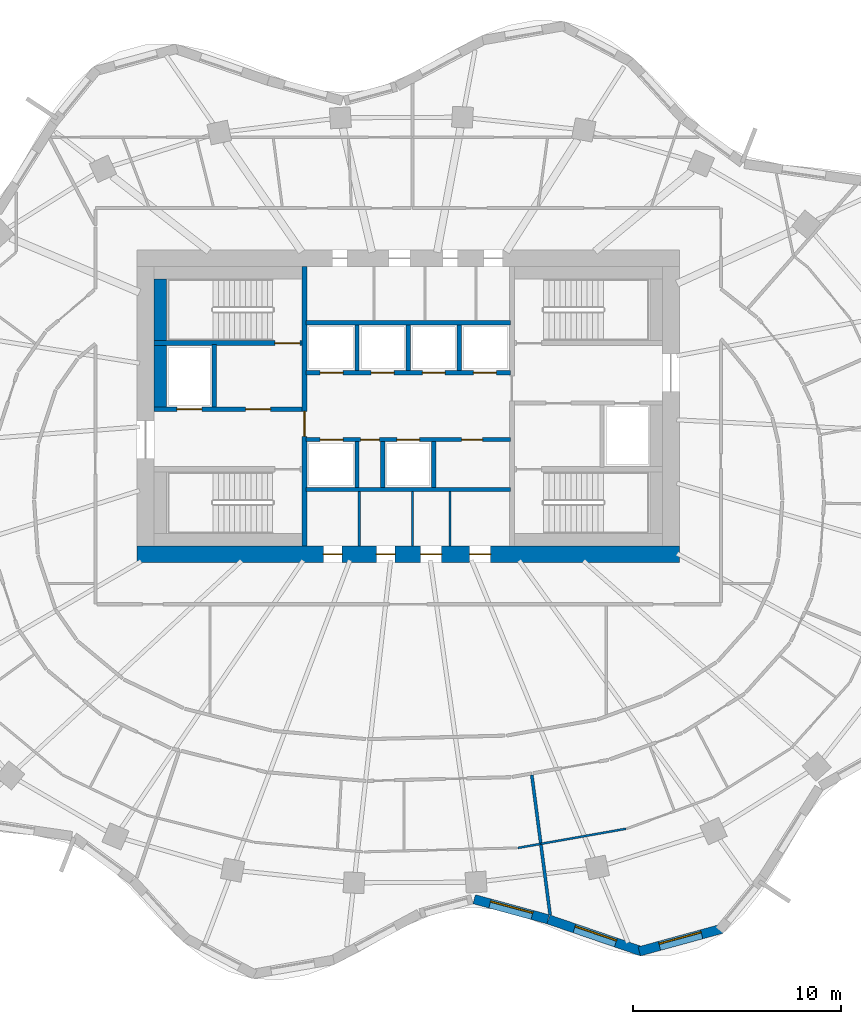
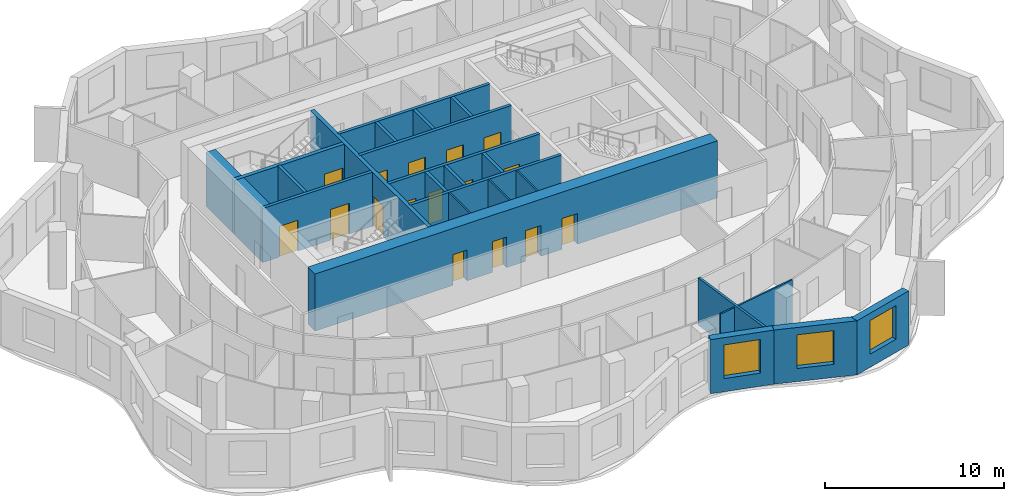
# One storey, part 5 of 11: 26 walls, 16 doors, 3 windows, 19 openings.
"""IFC4 building model written with IfcOpenShell, lengths in metres."""

from ifc_helpers import new_model, si_unit, direction, frame, frame_2d, origin, place, context, subcontext, project, spatial, rectangle, extrude, material, layer, layer_set, type_object, element, fill, save


model = new_model("IFC4")

# Units and contexts
model_context = context("Model", 3, precision=1e-05, world=origin(), true_north=direction((0.0, 1.0)))
body_context = subcontext(model_context, "Body", "Model", "MODEL_VIEW")
ifc_project = project(units=[si_unit("LENGTHUNIT", "METRE"), si_unit("AREAUNIT", "SQUARE_METRE"), si_unit("VOLUMEUNIT", "CUBIC_METRE"), si_unit("PLANEANGLEUNIT", "RADIAN"), si_unit("MASSUNIT", "GRAM", prefix="KILO")], contexts=[model_context])

# Site, building, storey
site_placement = place(None, origin())
site = spatial("IfcSite", under=ifc_project, at=site_placement, CompositionType="ELEMENT")
building_placement = place(site_placement, origin())
building = spatial("IfcBuilding", under=site, at=building_placement, Name="Rubra Terraces Tower", CompositionType="ELEMENT")
storey_placement = place(building_placement, frame((0.0, 0.0, 177.89990234375)))
storey = spatial("IfcBuildingStorey", under=building, at=storey_placement, Name="L43", CompositionType="ELEMENT", Elevation=177.89990234375)

# Wall, opening, window
ifc_material_1 = material(Name="Brick masonry red-brown", Category="masonry")
ifc_layer_1 = layer(ifc_material_1, 0.449951171875)
ifc_layer_set_1 = layer_set([ifc_layer_1], Name="Brick masonry red-brown")
wall_type_1 = type_object("IfcWallType", Name="Brick facade wall 450", PredefinedType="SOLIDWALL", material=ifc_layer_set_1)
wall_1_placement = place(storey_placement, frame((3.164306640625, -19.147216796875, 0.0), z_axis=(0.0, 0.0, 1.0), x_axis=(0.965039479998, -0.262104563191, 0.0)))
wall_1 = element("IfcWall", 1, at=wall_1_placement, inside=storey, type_object=wall_type_1, Name="Facade wall L43 bay 32", PredefinedType="SOLIDWALL", context=body_context, shape_type="SweptSolid", body=[
    extrude(rectangle(XDim=3.671875, YDim=0.449951171875, at=frame_2d((1.8359375, 0.0))), origin(), (0.0, 0.0, 1.0), 3.7001953125),
])
opening_1_placement = place(wall_1_placement, frame((0.785888671875, 0.0, 0.89990234375)))
opening_1 = element("IfcOpeningElement", 2, at=opening_1_placement, cuts=wall_1, Name="Opening W1B", PredefinedType="OPENING", context=body_context, shape_type="SweptSolid", body=[
    extrude(rectangle(XDim=2.10009765625, YDim=2.300048828125, at=frame_2d((1.050048828125, 1.14990234375))), frame((0.0, 0.23486328125, 0.0), z_axis=(0.0, -1.0, 0.0), x_axis=(1.0, 0.0, 0.0)), (0.0, 0.0, 1.0), 0.469970703125),
])
ifc_material_2 = material(Name="Clear glass in aluminium frame", Category="aluminium")
window_type = type_object("IfcWindowType", Name="Fixed deep-set window tall storey 2100 x 2300", PartitioningType="SINGLE_PANEL", PredefinedType="WINDOW", material=ifc_material_2)
window_1_placement = place(opening_1_placement, origin())
window_1 = element("IfcWindow", 3, at=window_1_placement, inside=storey, type_object=window_type, Name="Window L43 bay 32", OverallHeight=2.300048828125, OverallWidth=2.10009765625, PartitioningType="SINGLE_PANEL", PredefinedType="WINDOW", context=body_context, shape_type="SweptSolid", body=[
    extrude(rectangle(XDim=2.10009765625, YDim=2.300048828125, at=frame_2d((1.050048828125, 1.14990234375))), frame((0.0, 0.135009765625, 0.0), z_axis=(0.0, -1.0, 0.0), x_axis=(1.0, 0.0, 0.0)), (0.0, 0.0, 1.0), 0.06005859375),
])
fill(opening_1, window_1)

wall_2_placement = place(storey_placement, frame((6.722900390625, -20.114013671875, 0.0), z_axis=(0.0, 0.0, 1.0), x_axis=(0.945947299026, -0.324320377815, 0.0)))
wall_2 = element("IfcWall", 4, at=wall_2_placement, inside=storey, type_object=wall_type_1, Name="Facade wall L43 bay 33", PredefinedType="SOLIDWALL", context=body_context, shape_type="SweptSolid", body=[
    extrude(rectangle(XDim=4.74462890625, YDim=0.449951171875, at=frame_2d((2.372314453125, 0.0))), origin(), (0.0, 0.0, 1.0), 3.7001953125),
])
opening_2_placement = place(wall_2_placement, frame((1.322265625, 0.0, 0.89990234375)))
opening_2 = element("IfcOpeningElement", 5, at=opening_2_placement, cuts=wall_2, Name="Opening W1B", PredefinedType="OPENING", context=body_context, shape_type="SweptSolid", body=[
    extrude(rectangle(XDim=2.10009765625, YDim=2.300048828125, at=frame_2d((1.050048828125, 1.14990234375))), frame((0.0, 0.23486328125, 0.0), z_axis=(0.0, -1.0, 0.0), x_axis=(1.0, 0.0, 0.0)), (0.0, 0.0, 1.0), 0.469970703125),
])
window_2_placement = place(opening_2_placement, origin())
window_2 = element("IfcWindow", 6, at=window_2_placement, inside=storey, type_object=window_type, Name="Window L43 bay 33", OverallHeight=2.300048828125, OverallWidth=2.10009765625, PartitioningType="SINGLE_PANEL", PredefinedType="WINDOW", context=body_context, shape_type="SweptSolid", body=[
    extrude(rectangle(XDim=2.10009765625, YDim=2.300048828125, at=frame_2d((1.050048828125, 1.14990234375))), frame((0.0, 0.135009765625, 0.0), z_axis=(0.0, -1.0, 0.0), x_axis=(1.0, 0.0, 0.0)), (0.0, 0.0, 1.0), 0.06005859375),
])
fill(opening_2, window_2)

wall_3_placement = place(storey_placement, frame((11.08251953125, -21.64990234375, 0.0), z_axis=(0.0, 0.0, 1.0), x_axis=(0.964483204983, 0.264144179011, 0.0)))
wall_3 = element("IfcWall", 7, at=wall_3_placement, inside=storey, type_object=wall_type_1, Name="Facade wall L43 bay 34", PredefinedType="SOLIDWALL", context=body_context, shape_type="SweptSolid", body=[
    extrude(rectangle(XDim=4.103759765625, YDim=0.449951171875, at=frame_2d((2.0517578125, 0.0))), origin(), (0.0, 0.0, 1.0), 3.7001953125),
])
opening_3_placement = place(wall_3_placement, frame((1.001953125, 0.0, 0.89990234375)))
opening_3 = element("IfcOpeningElement", 8, at=opening_3_placement, cuts=wall_3, Name="Opening W1B", PredefinedType="OPENING", context=body_context, shape_type="SweptSolid", body=[
    extrude(rectangle(XDim=2.10009765625, YDim=2.300048828125, at=frame_2d((1.050048828125, 1.14990234375))), frame((0.0, 0.23486328125, 0.0), z_axis=(0.0, -1.0, 0.0), x_axis=(1.0, 0.0, 0.0)), (0.0, 0.0, 1.0), 0.469970703125),
])
window_3_placement = place(opening_3_placement, origin())
window_3 = element("IfcWindow", 9, at=window_3_placement, inside=storey, type_object=window_type, Name="Window L43 bay 34", OverallHeight=2.300048828125, OverallWidth=2.10009765625, PartitioningType="SINGLE_PANEL", PredefinedType="WINDOW", context=body_context, shape_type="SweptSolid", body=[
    extrude(rectangle(XDim=2.10009765625, YDim=2.300048828125, at=frame_2d((1.050048828125, 1.14990234375))), frame((0.0, 0.135009765625, 0.0), z_axis=(0.0, -1.0, 0.0), x_axis=(1.0, 0.0, 0.0)), (0.0, 0.0, 1.0), 0.06005859375),
])
fill(opening_3, window_3)

# Wall, openings, doors
ifc_material_3 = material(Name="Concrete C50", Category="concrete")
ifc_layer_2 = layer(ifc_material_3, 0.800048828125)
ifc_layer_set_2 = layer_set([ifc_layer_2], Name="Concrete C50")
wall_type_2 = type_object("IfcWallType", Name="CORE WALL 800 C50", PredefinedType="SHEAR", material=ifc_layer_set_2)
wall_4_placement = place(storey_placement, frame((-13.0, -2.60009765625, 0.0), z_axis=(0.0, 0.0, 1.0), x_axis=(1.0, 0.0, 0.0)))
wall_4 = element("IfcWall", 10, at=wall_4_placement, inside=storey, type_object=wall_type_2, Name="CORE WALL S L43", PredefinedType="SHEAR", context=body_context, shape_type="SweptSolid", body=[
    extrude(rectangle(XDim=26.0, YDim=0.800048828125, at=frame_2d((13.0, 0.0))), origin(), (0.0, 0.0, 1.0), 3.900146484375),
])
opening_4_placement = place(wall_4_placement, frame((8.925048828125, 0.0, 0.0)))
opening_4 = element("IfcOpeningElement", 11, at=opening_4_placement, cuts=wall_4, Name="Opening L43.C21", PredefinedType="OPENING", context=body_context, shape_type="SweptSolid", body=[
    extrude(rectangle(XDim=0.89990234375, YDim=2.10009765625, at=frame_2d((0.449951171875, 1.050048828125))), frame((0.0, 0.409912109375, 0.0), z_axis=(0.0, -1.0, 0.0), x_axis=(1.0, 0.0, 0.0)), (0.0, 0.0, 1.0), 0.820068359375),
])
opening_5_placement = place(wall_4_placement, frame((11.47509765625, 0.0, 0.0)))
opening_5 = element("IfcOpeningElement", 12, at=opening_5_placement, cuts=wall_4, Name="Opening L43.C22", PredefinedType="OPENING", context=body_context, shape_type="SweptSolid", body=[
    extrude(rectangle(XDim=0.89990234375, YDim=2.10009765625, at=frame_2d((0.449951171875, 1.050048828125))), frame((0.0, 0.409912109375, 0.0), z_axis=(0.0, -1.0, 0.0), x_axis=(1.0, 0.0, 0.0)), (0.0, 0.0, 1.0), 0.820068359375),
])
opening_6_placement = place(wall_4_placement, frame((13.60009765625, 0.0, 0.0)))
opening_6 = element("IfcOpeningElement", 13, at=opening_6_placement, cuts=wall_4, Name="Opening L43.C23", PredefinedType="OPENING", context=body_context, shape_type="SweptSolid", body=[
    extrude(rectangle(XDim=1.0, YDim=2.10009765625, at=frame_2d((0.5, 1.050048828125))), frame((0.0, 0.409912109375, 0.0), z_axis=(0.0, -1.0, 0.0), x_axis=(1.0, 0.0, 0.0)), (0.0, 0.0, 1.0), 0.820068359375),
])
opening_7_placement = place(wall_4_placement, frame((15.949951171875, 0.0, 0.0)))
opening_7 = element("IfcOpeningElement", 14, at=opening_7_placement, cuts=wall_4, Name="Opening L43.C24", PredefinedType="OPENING", context=body_context, shape_type="SweptSolid", body=[
    extrude(rectangle(XDim=1.0, YDim=2.10009765625, at=frame_2d((0.5, 1.050048828125))), frame((0.0, 0.409912109375, 0.0), z_axis=(0.0, -1.0, 0.0), x_axis=(1.0, 0.0, 0.0)), (0.0, 0.0, 1.0), 0.820068359375),
])
ifc_material_4 = material(Name="Painted steel", Category="steel")
door_type_1 = type_object("IfcDoorType", Name="Fire door 1000x2100 single", OperationType="NOTDEFINED", PredefinedType="DOOR", material=ifc_material_4)
door_1_placement = place(opening_6_placement, origin())
door_1 = element("IfcDoor", 15, at=door_1_placement, inside=storey, type_object=door_type_1, Name="Accessible WC door", OperationType="SINGLE_SWING_LEFT", OverallHeight=2.10009765625, OverallWidth=1.0, PredefinedType="DOOR", context=body_context, shape_type="SweptSolid", body=[
    extrude(rectangle(XDim=1.0, YDim=2.10009765625, at=frame_2d((0.5, 1.050048828125))), frame((0.0, 0.02490234375, 0.0), z_axis=(0.0, -1.0, 0.0), x_axis=(1.0, 0.0, 0.0)), (0.0, 0.0, 1.0), 0.050048828125),
])
fill(opening_6, door_1)
door_2_placement = place(opening_7_placement, origin())
door_2 = element("IfcDoor", 16, at=door_2_placement, inside=storey, type_object=door_type_1, Name="General store door", OperationType="SINGLE_SWING_RIGHT", OverallHeight=2.10009765625, OverallWidth=1.0, PredefinedType="DOOR", context=body_context, shape_type="SweptSolid", body=[
    extrude(rectangle(XDim=1.0, YDim=2.10009765625, at=frame_2d((0.5, 1.050048828125))), frame((0.0, 0.02490234375, 0.0), z_axis=(0.0, -1.0, 0.0), x_axis=(1.0, 0.0, 0.0)), (0.0, 0.0, 1.0), 0.050048828125),
])
fill(opening_7, door_2)
door_type_2 = type_object("IfcDoorType", Name="Fire door 900x2100 single", OperationType="NOTDEFINED", PredefinedType="DOOR", material=ifc_material_4)
door_3_placement = place(opening_4_placement, origin())
door_3 = element("IfcDoor", 17, at=door_3_placement, inside=storey, type_object=door_type_2, Name="Ladies WC door", OperationType="SINGLE_SWING_LEFT", OverallHeight=2.10009765625, OverallWidth=0.89990234375, PredefinedType="DOOR", context=body_context, shape_type="SweptSolid", body=[
    extrude(rectangle(XDim=0.89990234375, YDim=2.10009765625, at=frame_2d((0.449951171875, 1.050048828125))), frame((0.0, 0.02490234375, 0.0), z_axis=(0.0, -1.0, 0.0), x_axis=(1.0, 0.0, 0.0)), (0.0, 0.0, 1.0), 0.050048828125),
])
fill(opening_4, door_3)
door_4_placement = place(opening_5_placement, origin())
door_4 = element("IfcDoor", 18, at=door_4_placement, inside=storey, type_object=door_type_2, Name="Gents WC door", OperationType="SINGLE_SWING_RIGHT", OverallHeight=2.10009765625, OverallWidth=0.89990234375, PredefinedType="DOOR", context=body_context, shape_type="SweptSolid", body=[
    extrude(rectangle(XDim=0.89990234375, YDim=2.10009765625, at=frame_2d((0.449951171875, 1.050048828125))), frame((0.0, 0.02490234375, 0.0), z_axis=(0.0, -1.0, 0.0), x_axis=(1.0, 0.0, 0.0)), (0.0, 0.0, 1.0), 0.050048828125),
])
fill(opening_5, door_4)

# Walls
ifc_material_5 = material(Name="Concrete C40", Category="concrete")
ifc_layer_3 = layer(ifc_material_5, 0.60009765625)
ifc_layer_set_3 = layer_set([ifc_layer_3], Name="Concrete C40")
wall_type_3 = type_object("IfcWallType", Name="Core lining wall 600 concrete", PredefinedType="SOLIDWALL", material=ifc_layer_set_3)
wall_5_placement = place(storey_placement, frame((-11.89990234375, 4.449951171875, 0.0), z_axis=(0.0, 0.0, 1.0), x_axis=(0.0, 1.0, 0.0)))
element("IfcWall", 19, at=wall_5_placement, inside=storey, type_object=wall_type_3, Name="CORE LINING WALL L43", PredefinedType="SOLIDWALL", context=body_context, shape_type="SweptSolid", body=[
    extrude(rectangle(XDim=3.0, YDim=0.60009765625, at=frame_2d((1.5, 0.0))), origin(), (0.0, 0.0, 1.0), 3.7001953125),
])
wall_6_placement = place(storey_placement, frame((-11.89990234375, 7.64990234375, 0.0), z_axis=(0.0, 0.0, 1.0), x_axis=(0.0, 1.0, 0.0)))
element("IfcWall", 20, at=wall_6_placement, inside=storey, type_object=wall_type_3, Name="CORE LINING WALL L43", PredefinedType="SOLIDWALL", context=body_context, shape_type="SweptSolid", body=[
    extrude(rectangle(XDim=2.9501953125, YDim=0.60009765625, at=frame_2d((1.47509765625, 0.0))), origin(), (0.0, 0.0, 1.0), 3.7001953125),
])

# Wall, openings, doors
ifc_material_6 = material(Name="Concrete C30", Category="concrete")
ifc_layer_4 = layer(ifc_material_6, 0.199951171875)
ifc_layer_set_4 = layer_set([ifc_layer_4], Name="Concrete C30")
wall_type_4 = type_object("IfcWallType", Name="Core wall 200 concrete", PredefinedType="SOLIDWALL", material=ifc_layer_set_4)
wall_7_placement = place(storey_placement, frame((-12.199951171875, 4.35009765625, 0.0), z_axis=(0.0, 0.0, 1.0), x_axis=(1.0, 0.0, 0.0)))
wall_7 = element("IfcWall", 21, at=wall_7_placement, inside=storey, type_object=wall_type_4, Name="STAIR WALL L43", PredefinedType="SOLIDWALL", context=body_context, shape_type="SweptSolid", body=[
    extrude(rectangle(XDim=7.099853515625, YDim=0.199951171875, at=frame_2d((3.5498046875, 0.0))), origin(), (0.0, 0.0, 1.0), 3.7001953125),
])
opening_8_placement = place(wall_7_placement, frame((4.39990234375, 0.0, 0.0)))
opening_8 = element("IfcOpeningElement", 22, at=opening_8_placement, cuts=wall_7, Name="Opening L43.C05", PredefinedType="OPENING", context=body_context, shape_type="SweptSolid", body=[
    extrude(rectangle(XDim=1.199951171875, YDim=2.10009765625, at=frame_2d((0.60009765625, 1.050048828125))), frame((0.0, 0.10986328125, 0.0), z_axis=(0.0, -1.0, 0.0), x_axis=(1.0, 0.0, 0.0)), (0.0, 0.0, 1.0), 0.219970703125),
])
opening_9_placement = place(wall_7_placement, frame((1.10009765625, 0.0, 0.0)))
opening_9 = element("IfcOpeningElement", 23, at=opening_9_placement, cuts=wall_7, Name="Opening L43.C11", PredefinedType="OPENING", context=body_context, shape_type="SweptSolid", body=[
    extrude(rectangle(XDim=1.199951171875, YDim=2.10009765625, at=frame_2d((0.60009765625, 1.050048828125))), frame((0.0, 0.10986328125, 0.0), z_axis=(0.0, -1.0, 0.0), x_axis=(1.0, 0.0, 0.0)), (0.0, 0.0, 1.0), 0.219970703125),
])
door_type_3 = type_object("IfcDoorType", Name="Fire door 1200x2100 single", OperationType="NOTDEFINED", PredefinedType="DOOR", material=ifc_material_4)
door_5_placement = place(opening_8_placement, origin())
door_5 = element("IfcDoor", 24, at=door_5_placement, inside=storey, type_object=door_type_3, Name="Stair vestibule door S2", OperationType="SINGLE_SWING_LEFT", OverallHeight=2.10009765625, OverallWidth=1.199951171875, PredefinedType="DOOR", context=body_context, shape_type="SweptSolid", body=[
    extrude(rectangle(XDim=1.199951171875, YDim=2.10009765625, at=frame_2d((0.60009765625, 1.050048828125))), frame((0.0, 0.02490234375, 0.0), z_axis=(0.0, -1.0, 0.0), x_axis=(1.0, 0.0, 0.0)), (0.0, 0.0, 1.0), 0.050048828125),
])
fill(opening_8, door_5)
ifc_material_7 = material(Name="Stainless steel", Category="steel")
door_type_4 = type_object("IfcDoorType", Name="Lift landing door 1200x2100", OperationType="NOTDEFINED", PredefinedType="DOOR", material=ifc_material_7)
door_6_placement = place(opening_9_placement, origin())
door_6 = element("IfcDoor", 25, at=door_6_placement, inside=storey, type_object=door_type_4, Name="Landing door FF1", OperationType="SLIDING_TO_RIGHT", OverallHeight=2.10009765625, OverallWidth=1.199951171875, PredefinedType="DOOR", context=body_context, shape_type="SweptSolid", body=[
    extrude(rectangle(XDim=1.199951171875, YDim=2.10009765625, at=frame_2d((0.60009765625, 1.050048828125))), frame((0.0, 0.02490234375, 0.0), z_axis=(0.0, -1.0, 0.0), x_axis=(1.0, 0.0, 0.0)), (0.0, 0.0, 1.0), 0.050048828125),
])
fill(opening_9, door_6)

# Walls
wall_8_placement = place(storey_placement, frame((-9.300048828125, 4.449951171875, 0.0), z_axis=(0.0, 0.0, 1.0), x_axis=(0.0, 1.0, 0.0)))
element("IfcWall", 26, at=wall_8_placement, inside=storey, type_object=wall_type_4, Name="STAIR WALL L43", PredefinedType="SOLIDWALL", context=body_context, shape_type="SweptSolid", body=[
    extrude(rectangle(XDim=3.0, YDim=0.199951171875, at=frame_2d((1.5, 0.0))), origin(), (0.0, 0.0, 1.0), 3.7001953125),
])
wall_9_placement = place(storey_placement, frame((-4.89990234375, 0.5, 0.0), z_axis=(0.0, 0.0, 1.0), x_axis=(1.0, 0.0, 0.0)))
element("IfcWall", 27, at=wall_9_placement, inside=storey, type_object=wall_type_4, Name="LIFT SHAFT WALL L43", PredefinedType="SOLIDWALL", context=body_context, shape_type="SweptSolid", body=[
    extrude(rectangle(XDim=9.7998046875, YDim=0.199951171875, at=frame_2d((4.89990234375, 0.0))), origin(), (0.0, 0.0, 1.0), 3.7001953125),
])

# Wall, openings, doors
wall_10_placement = place(storey_placement, frame((-4.89990234375, 2.89990234375, 0.0), z_axis=(0.0, 0.0, 1.0), x_axis=(1.0, 0.0, 0.0)))
wall_10 = element("IfcWall", 28, at=wall_10_placement, inside=storey, type_object=wall_type_4, Name="LIFT SHAFT WALL L43", PredefinedType="SOLIDWALL", context=body_context, shape_type="SweptSolid", body=[
    extrude(rectangle(XDim=9.7998046875, YDim=0.199951171875, at=frame_2d((4.89990234375, 0.0))), origin(), (0.0, 0.0, 1.0), 3.7001953125),
])
opening_10_placement = place(wall_10_placement, frame((0.675048828125, 0.0, 0.0)))
opening_10 = element("IfcOpeningElement", 29, at=opening_10_placement, cuts=wall_10, Name="Opening L43.C13", PredefinedType="OPENING", context=body_context, shape_type="SweptSolid", body=[
    extrude(rectangle(XDim=1.10009765625, YDim=2.10009765625, at=frame_2d((0.550048828125, 1.050048828125))), frame((0.0, 0.10986328125, 0.0), z_axis=(0.0, -1.0, 0.0), x_axis=(1.0, 0.0, 0.0)), (0.0, 0.0, 1.0), 0.219970703125),
])
opening_11_placement = place(wall_10_placement, frame((2.613037109375, 0.0, 0.0)))
opening_11 = element("IfcOpeningElement", 30, at=opening_11_placement, cuts=wall_10, Name="Opening L43.C14", PredefinedType="OPENING", context=body_context, shape_type="SweptSolid", body=[
    extrude(rectangle(XDim=0.89990234375, YDim=2.10009765625, at=frame_2d((0.449951171875, 1.050048828125))), frame((0.0, 0.10986328125, 0.0), z_axis=(0.0, -1.0, 0.0), x_axis=(1.0, 0.0, 0.0)), (0.0, 0.0, 1.0), 0.219970703125),
])
opening_12_placement = place(wall_10_placement, frame((4.35009765625, 0.0, 0.0)))
opening_12 = element("IfcOpeningElement", 31, at=opening_12_placement, cuts=wall_10, Name="Opening L43.C15", PredefinedType="OPENING", context=body_context, shape_type="SweptSolid", body=[
    extrude(rectangle(XDim=1.10009765625, YDim=2.10009765625, at=frame_2d((0.550048828125, 1.050048828125))), frame((0.0, 0.10986328125, 0.0), z_axis=(0.0, -1.0, 0.0), x_axis=(1.0, 0.0, 0.0)), (0.0, 0.0, 1.0), 0.219970703125),
])
opening_13_placement = place(wall_10_placement, frame((7.462890625, 0.0, 0.0)))
opening_13 = element("IfcOpeningElement", 32, at=opening_13_placement, cuts=wall_10, Name="Opening L43.C16", PredefinedType="OPENING", context=body_context, shape_type="SweptSolid", body=[
    extrude(rectangle(XDim=1.0, YDim=2.10009765625, at=frame_2d((0.5, 1.050048828125))), frame((0.0, 0.10986328125, 0.0), z_axis=(0.0, -1.0, 0.0), x_axis=(1.0, 0.0, 0.0)), (0.0, 0.0, 1.0), 0.219970703125),
])
door_7_placement = place(opening_13_placement, origin())
door_7 = element("IfcDoor", 33, at=door_7_placement, inside=storey, type_object=door_type_1, Name="Security and building control room door", OperationType="SINGLE_SWING_RIGHT", OverallHeight=2.10009765625, OverallWidth=1.0, PredefinedType="DOOR", context=body_context, shape_type="SweptSolid", body=[
    extrude(rectangle(XDim=1.0, YDim=2.10009765625, at=frame_2d((0.5, 1.050048828125))), frame((0.0, 0.02490234375, 0.0), z_axis=(0.0, -1.0, 0.0), x_axis=(1.0, 0.0, 0.0)), (0.0, 0.0, 1.0), 0.050048828125),
])
fill(opening_13, door_7)
door_8_placement = place(opening_11_placement, origin())
door_8 = element("IfcDoor", 34, at=door_8_placement, inside=storey, type_object=door_type_2, Name="Cleaner's store door", OperationType="SINGLE_SWING_RIGHT", OverallHeight=2.10009765625, OverallWidth=0.89990234375, PredefinedType="DOOR", context=body_context, shape_type="SweptSolid", body=[
    extrude(rectangle(XDim=0.89990234375, YDim=2.10009765625, at=frame_2d((0.449951171875, 1.050048828125))), frame((0.0, 0.02490234375, 0.0), z_axis=(0.0, -1.0, 0.0), x_axis=(1.0, 0.0, 0.0)), (0.0, 0.0, 1.0), 0.050048828125),
])
fill(opening_11, door_8)
door_type_5 = type_object("IfcDoorType", Name="Lift landing door 1100x2100", OperationType="NOTDEFINED", PredefinedType="DOOR", material=ifc_material_7)
door_9_placement = place(opening_10_placement, origin())
door_9 = element("IfcDoor", 35, at=door_9_placement, inside=storey, type_object=door_type_5, Name="Landing door HB1", OperationType="SLIDING_TO_RIGHT", OverallHeight=2.10009765625, OverallWidth=1.10009765625, PredefinedType="DOOR", context=body_context, shape_type="SweptSolid", body=[
    extrude(rectangle(XDim=1.10009765625, YDim=2.10009765625, at=frame_2d((0.550048828125, 1.050048828125))), frame((0.0, 0.02490234375, 0.0), z_axis=(0.0, -1.0, 0.0), x_axis=(1.0, 0.0, 0.0)), (0.0, 0.0, 1.0), 0.050048828125),
])
fill(opening_10, door_9)
door_10_placement = place(opening_12_placement, origin())
door_10 = element("IfcDoor", 36, at=door_10_placement, inside=storey, type_object=door_type_5, Name="Landing door HB2", OperationType="SLIDING_TO_LEFT", OverallHeight=2.10009765625, OverallWidth=1.10009765625, PredefinedType="DOOR", context=body_context, shape_type="SweptSolid", body=[
    extrude(rectangle(XDim=1.10009765625, YDim=2.10009765625, at=frame_2d((0.550048828125, 1.050048828125))), frame((0.0, 0.02490234375, 0.0), z_axis=(0.0, -1.0, 0.0), x_axis=(1.0, 0.0, 0.0)), (0.0, 0.0, 1.0), 0.050048828125),
])
fill(opening_12, door_10)

wall_11_placement = place(storey_placement, frame((-4.89990234375, 6.10009765625, 0.0), z_axis=(0.0, 0.0, 1.0), x_axis=(1.0, 0.0, 0.0)))
wall_11 = element("IfcWall", 37, at=wall_11_placement, inside=storey, type_object=wall_type_4, Name="LIFT SHAFT WALL L43", PredefinedType="SOLIDWALL", context=body_context, shape_type="SweptSolid", body=[
    extrude(rectangle(XDim=9.7998046875, YDim=0.199951171875, at=frame_2d((4.89990234375, 0.0))), origin(), (0.0, 0.0, 1.0), 3.7001953125),
])
opening_14_placement = place(wall_11_placement, frame((0.675048828125, 0.0, 0.0)))
opening_14 = element("IfcOpeningElement", 38, at=opening_14_placement, cuts=wall_11, Name="Opening L43.C17", PredefinedType="OPENING", context=body_context, shape_type="SweptSolid", body=[
    extrude(rectangle(XDim=1.10009765625, YDim=2.10009765625, at=frame_2d((0.550048828125, 1.050048828125))), frame((0.0, 0.10986328125, 0.0), z_axis=(0.0, -1.0, 0.0), x_axis=(1.0, 0.0, 0.0)), (0.0, 0.0, 1.0), 0.219970703125),
])
opening_15_placement = place(wall_11_placement, frame((3.125, 0.0, 0.0)))
opening_15 = element("IfcOpeningElement", 39, at=opening_15_placement, cuts=wall_11, Name="Opening L43.C18", PredefinedType="OPENING", context=body_context, shape_type="SweptSolid", body=[
    extrude(rectangle(XDim=1.10009765625, YDim=2.10009765625, at=frame_2d((0.550048828125, 1.050048828125))), frame((0.0, 0.10986328125, 0.0), z_axis=(0.0, -1.0, 0.0), x_axis=(1.0, 0.0, 0.0)), (0.0, 0.0, 1.0), 0.219970703125),
])
opening_16_placement = place(wall_11_placement, frame((5.574951171875, 0.0, 0.0)))
opening_16 = element("IfcOpeningElement", 40, at=opening_16_placement, cuts=wall_11, Name="Opening L43.C19", PredefinedType="OPENING", context=body_context, shape_type="SweptSolid", body=[
    extrude(rectangle(XDim=1.10009765625, YDim=2.10009765625, at=frame_2d((0.550048828125, 1.050048828125))), frame((0.0, 0.10986328125, 0.0), z_axis=(0.0, -1.0, 0.0), x_axis=(1.0, 0.0, 0.0)), (0.0, 0.0, 1.0), 0.219970703125),
])
opening_17_placement = place(wall_11_placement, frame((8.02490234375, 0.0, 0.0)))
opening_17 = element("IfcOpeningElement", 41, at=opening_17_placement, cuts=wall_11, Name="Opening L43.C20", PredefinedType="OPENING", context=body_context, shape_type="SweptSolid", body=[
    extrude(rectangle(XDim=1.10009765625, YDim=2.10009765625, at=frame_2d((0.550048828125, 1.050048828125))), frame((0.0, 0.10986328125, 0.0), z_axis=(0.0, -1.0, 0.0), x_axis=(1.0, 0.0, 0.0)), (0.0, 0.0, 1.0), 0.219970703125),
])
door_11_placement = place(opening_14_placement, origin())
door_11 = element("IfcDoor", 42, at=door_11_placement, inside=storey, type_object=door_type_5, Name="Landing door HB3", OperationType="SLIDING_TO_RIGHT", OverallHeight=2.10009765625, OverallWidth=1.10009765625, PredefinedType="DOOR", context=body_context, shape_type="SweptSolid", body=[
    extrude(rectangle(XDim=1.10009765625, YDim=2.10009765625, at=frame_2d((0.550048828125, 1.050048828125))), frame((0.0, 0.02490234375, 0.0), z_axis=(0.0, -1.0, 0.0), x_axis=(1.0, 0.0, 0.0)), (0.0, 0.0, 1.0), 0.050048828125),
])
fill(opening_14, door_11)
door_12_placement = place(opening_15_placement, origin())
door_12 = element("IfcDoor", 43, at=door_12_placement, inside=storey, type_object=door_type_5, Name="Landing door HB4", OperationType="SLIDING_TO_LEFT", OverallHeight=2.10009765625, OverallWidth=1.10009765625, PredefinedType="DOOR", context=body_context, shape_type="SweptSolid", body=[
    extrude(rectangle(XDim=1.10009765625, YDim=2.10009765625, at=frame_2d((0.550048828125, 1.050048828125))), frame((0.0, 0.02490234375, 0.0), z_axis=(0.0, -1.0, 0.0), x_axis=(1.0, 0.0, 0.0)), (0.0, 0.0, 1.0), 0.050048828125),
])
fill(opening_15, door_12)
door_13_placement = place(opening_16_placement, origin())
door_13 = element("IfcDoor", 44, at=door_13_placement, inside=storey, type_object=door_type_5, Name="Landing door HB5", OperationType="SLIDING_TO_RIGHT", OverallHeight=2.10009765625, OverallWidth=1.10009765625, PredefinedType="DOOR", context=body_context, shape_type="SweptSolid", body=[
    extrude(rectangle(XDim=1.10009765625, YDim=2.10009765625, at=frame_2d((0.550048828125, 1.050048828125))), frame((0.0, 0.02490234375, 0.0), z_axis=(0.0, -1.0, 0.0), x_axis=(1.0, 0.0, 0.0)), (0.0, 0.0, 1.0), 0.050048828125),
])
fill(opening_16, door_13)
door_14_placement = place(opening_17_placement, origin())
door_14 = element("IfcDoor", 45, at=door_14_placement, inside=storey, type_object=door_type_5, Name="Landing door HB6", OperationType="SLIDING_TO_LEFT", OverallHeight=2.10009765625, OverallWidth=1.10009765625, PredefinedType="DOOR", context=body_context, shape_type="SweptSolid", body=[
    extrude(rectangle(XDim=1.10009765625, YDim=2.10009765625, at=frame_2d((0.550048828125, 1.050048828125))), frame((0.0, 0.02490234375, 0.0), z_axis=(0.0, -1.0, 0.0), x_axis=(1.0, 0.0, 0.0)), (0.0, 0.0, 1.0), 0.050048828125),
])
fill(opening_17, door_14)

# Walls
wall_12_placement = place(storey_placement, frame((-4.89990234375, 8.5, 0.0), z_axis=(0.0, 0.0, 1.0), x_axis=(1.0, 0.0, 0.0)))
element("IfcWall", 46, at=wall_12_placement, inside=storey, type_object=wall_type_4, Name="LIFT SHAFT WALL L43", PredefinedType="SOLIDWALL", context=body_context, shape_type="SweptSolid", body=[
    extrude(rectangle(XDim=9.7998046875, YDim=0.199951171875, at=frame_2d((4.89990234375, 0.0))), origin(), (0.0, 0.0, 1.0), 3.7001953125),
])
for number, where, z_axis, x_axis, name in (
    (47, (-2.449951171875, 0.60009765625, 0.0), (0.0, 0.0, 1.0), (0.0, 1.0, 0.0), "LIFT SHAFT WALL L43"),
    (48, (-1.22509765625, 0.60009765625, 0.0), (0.0, 0.0, 1.0), (0.0, 1.0, 0.0), "LIFT SHAFT WALL L43"),
    (49, (1.22509765625, 0.60009765625, 0.0), (0.0, 0.0, 1.0), (0.0, 1.0, 0.0), "LIFT SHAFT WALL L43"),
    (50, (-2.449951171875, 6.199951171875, 0.0), (0.0, 0.0, 1.0), (0.0, 1.0, 0.0), "LIFT SHAFT WALL L43"),
    (51, (0.0, 6.199951171875, 0.0), (0.0, 0.0, 1.0), (0.0, 1.0, 0.0), "LIFT SHAFT WALL L43"),
    (52, (2.449951171875, 6.199951171875, 0.0), (0.0, 0.0, 1.0), (0.0, 1.0, 0.0), "LIFT SHAFT WALL L43"),
):
    element("IfcWall", number, at=place(storey_placement, frame(where, z_axis=z_axis, x_axis=x_axis)), inside=storey, type_object=wall_type_4, Name=name, PredefinedType="SOLIDWALL", context=body_context, shape_type="SweptSolid", body=[
        extrude(rectangle(XDim=2.199951171875, YDim=0.199951171875, at=frame_2d((1.10009765625, 0.0))), origin(), (0.0, 0.0, 1.0), 3.7001953125),
    ])
ifc_material_8 = material(Name="Plasterboard on steel stud", Category="steel")
ifc_layer_5 = layer(ifc_material_8, 0.10009765625)
ifc_layer_set_5 = layer_set([ifc_layer_5], Name="Plasterboard on steel stud")
wall_type_5 = type_object("IfcWallType", Name="ROOM PARTITION 100", PredefinedType="PARTITIONING", material=ifc_layer_set_5)
wall_13_placement = place(storey_placement, frame((6.34033203125, -16.49560546875, 0.0), z_axis=(0.0, 0.0, 1.0), x_axis=(-0.984632558058, -0.174638843366, 0.0)))
element("IfcWall", 53, at=wall_13_placement, inside=storey, type_object=wall_type_5, Name="PARTITION", PredefinedType="PARTITIONING", context=body_context, shape_type="SweptSolid", body=[
    extrude(rectangle(XDim=1.09326171875, YDim=0.10009765625, at=frame_2d((0.546630859375, 0.0))), origin(), (0.0, 0.0, 1.0), 3.083984375),
])
wall_14_placement = place(storey_placement, frame((10.441162109375, -15.7685546875, 0.0), z_axis=(0.0, 0.0, 1.0), x_axis=(-0.984637220861, -0.174612551941, 0.0)))
element("IfcWall", 54, at=wall_14_placement, inside=storey, type_object=wall_type_5, Name="PARTITION", PredefinedType="PARTITIONING", context=body_context, shape_type="SweptSolid", body=[
    extrude(rectangle(XDim=4.124755859375, YDim=0.10009765625, at=frame_2d((2.0625, 0.0))), origin(), (0.0, 0.0, 1.0), 3.083984375),
])
ifc_layer_6 = layer(ifc_material_8, 0.14990234375)
ifc_layer_set_6 = layer_set([ifc_layer_6], Name="Plasterboard on steel stud")
wall_type_6 = type_object("IfcWallType", Name="ROOM PARTITION 150", PredefinedType="PARTITIONING", material=ifc_layer_set_6)
wall_15_placement = place(storey_placement, frame((6.806640625, -19.900634765625, 0.0), z_axis=(0.0, 0.0, 1.0), x_axis=(-0.129934596003, 0.991522566945, 0.0)))
element("IfcWall", 55, at=wall_15_placement, inside=storey, type_object=wall_type_6, Name="PARTITION", PredefinedType="PARTITIONING", context=body_context, shape_type="SweptSolid", body=[
    extrude(rectangle(XDim=6.76611328125, YDim=0.14990234375, at=frame_2d((3.383056640625, 0.0))), origin(), (0.0, 0.0, 1.0), 3.234130859375),
])
ifc_material_9 = material(Name="Blockwork", Category="masonry")
ifc_layer_7 = layer(ifc_material_9, 0.10009765625)
ifc_layer_set_7 = layer_set([ifc_layer_7], Name="Blockwork")
wall_type_7 = type_object("IfcWallType", Name="Service partition 100 blockwork", PredefinedType="PARTITIONING", material=ifc_layer_set_7)
for number, where, z_axis, x_axis, name in (
    (56, (-2.35009765625, -2.199951171875, 0.0), (0.0, 0.0, 1.0), (0.0, 1.0, 0.0), "SERVICE ROOM PARTITION L43"),
    (57, (0.199951171875, -2.199951171875, 0.0), (0.0, 0.0, 1.0), (0.0, 1.0, 0.0), "SERVICE ROOM PARTITION L43"),
    (58, (2.0, -2.199951171875, 0.0), (0.0, 0.0, 1.0), (0.0, 1.0, 0.0), "SERVICE ROOM PARTITION L43"),
):
    element("IfcWall", number, at=place(storey_placement, frame(where, z_axis=z_axis, x_axis=x_axis)), inside=storey, type_object=wall_type_7, Name=name, PredefinedType="PARTITIONING", context=body_context, shape_type="SweptSolid", body=[
        extrude(rectangle(XDim=2.599853515625, YDim=0.10009765625, at=frame_2d((1.2998046875, 0.0))), origin(), (0.0, 0.0, 1.0), 3.7001953125),
    ])

# Wall, opening, door
ifc_layer_8 = layer(ifc_material_5, 0.25)
ifc_layer_set_8 = layer_set([ifc_layer_8], Name="Concrete C40")
wall_type_8 = type_object("IfcWallType", Name="Stair enclosure wall 250 concrete", PredefinedType="SOLIDWALL", material=ifc_layer_set_8)
wall_16_placement = place(storey_placement, frame((-12.199951171875, 7.52490234375, 0.0), z_axis=(0.0, 0.0, 1.0), x_axis=(1.0, 0.0, 0.0)))
wall_16 = element("IfcWall", 59, at=wall_16_placement, inside=storey, type_object=wall_type_8, Name="STAIR WALL L43", PredefinedType="SOLIDWALL", context=body_context, shape_type="SweptSolid", body=[
    extrude(rectangle(XDim=7.099853515625, YDim=0.25, at=frame_2d((3.5498046875, 0.0))), origin(), (0.0, 0.0, 1.0), 3.7001953125),
])
opening_18_placement = place(wall_16_placement, frame((5.800048828125, 0.0, 0.0)))
opening_18 = element("IfcOpeningElement", 60, at=opening_18_placement, cuts=wall_16, Name="Opening L43.C09", PredefinedType="OPENING", context=body_context, shape_type="SweptSolid", body=[
    extrude(rectangle(XDim=1.199951171875, YDim=2.10009765625, at=frame_2d((0.60009765625, 1.050048828125))), frame((0.0, 0.135009765625, 0.0), z_axis=(0.0, -1.0, 0.0), x_axis=(1.0, 0.0, 0.0)), (0.0, 0.0, 1.0), 0.27001953125),
])
door_15_placement = place(opening_18_placement, origin())
door_15 = element("IfcDoor", 61, at=door_15_placement, inside=storey, type_object=door_type_3, Name="Stair door S2", OperationType="SINGLE_SWING_LEFT", OverallHeight=2.10009765625, OverallWidth=1.199951171875, PredefinedType="DOOR", context=body_context, shape_type="SweptSolid", body=[
    extrude(rectangle(XDim=1.199951171875, YDim=2.10009765625, at=frame_2d((0.60009765625, 1.050048828125))), frame((0.0, 0.02490234375, 0.0), z_axis=(0.0, -1.0, 0.0), x_axis=(1.0, 0.0, 0.0)), (0.0, 0.0, 1.0), 0.050048828125),
])
fill(opening_18, door_15)

wall_17_placement = place(storey_placement, frame((-4.97509765625, -2.199951171875, 0.0), z_axis=(0.0, 0.0, 1.0), x_axis=(0.0, 1.0, 0.0)))
wall_17 = element("IfcWall", 62, at=wall_17_placement, inside=storey, type_object=wall_type_8, Name="CORE LOBBY WALL L43", PredefinedType="SOLIDWALL", context=body_context, shape_type="SweptSolid", body=[
    extrude(rectangle(XDim=13.39990234375, YDim=0.25, at=frame_2d((6.699951171875, 0.0))), origin(), (0.0, 0.0, 1.0), 3.7001953125),
])
opening_19_placement = place(wall_17_placement, frame((5.25, 0.0, 0.0)))
opening_19 = element("IfcOpeningElement", 63, at=opening_19_placement, cuts=wall_17, Name="Opening L43.C03", PredefinedType="OPENING", context=body_context, shape_type="SweptSolid", body=[
    extrude(rectangle(XDim=1.199951171875, YDim=2.10009765625, at=frame_2d((0.60009765625, 1.050048828125))), frame((0.0, 0.135009765625, 0.0), z_axis=(0.0, -1.0, 0.0), x_axis=(1.0, 0.0, 0.0)), (0.0, 0.0, 1.0), 0.27001953125),
])
door_16_placement = place(opening_19_placement, origin())
door_16 = element("IfcDoor", 64, at=door_16_placement, inside=storey, type_object=door_type_3, Name="Firefighting lobby door FF1", OperationType="SINGLE_SWING_LEFT", OverallHeight=2.10009765625, OverallWidth=1.199951171875, PredefinedType="DOOR", context=body_context, shape_type="SweptSolid", body=[
    extrude(rectangle(XDim=1.199951171875, YDim=2.10009765625, at=frame_2d((0.60009765625, 1.050048828125))), frame((0.0, 0.02490234375, 0.0), z_axis=(0.0, -1.0, 0.0), x_axis=(1.0, 0.0, 0.0)), (0.0, 0.0, 1.0), 0.050048828125),
])
fill(opening_19, door_16)

save(model, "model.ifc")
